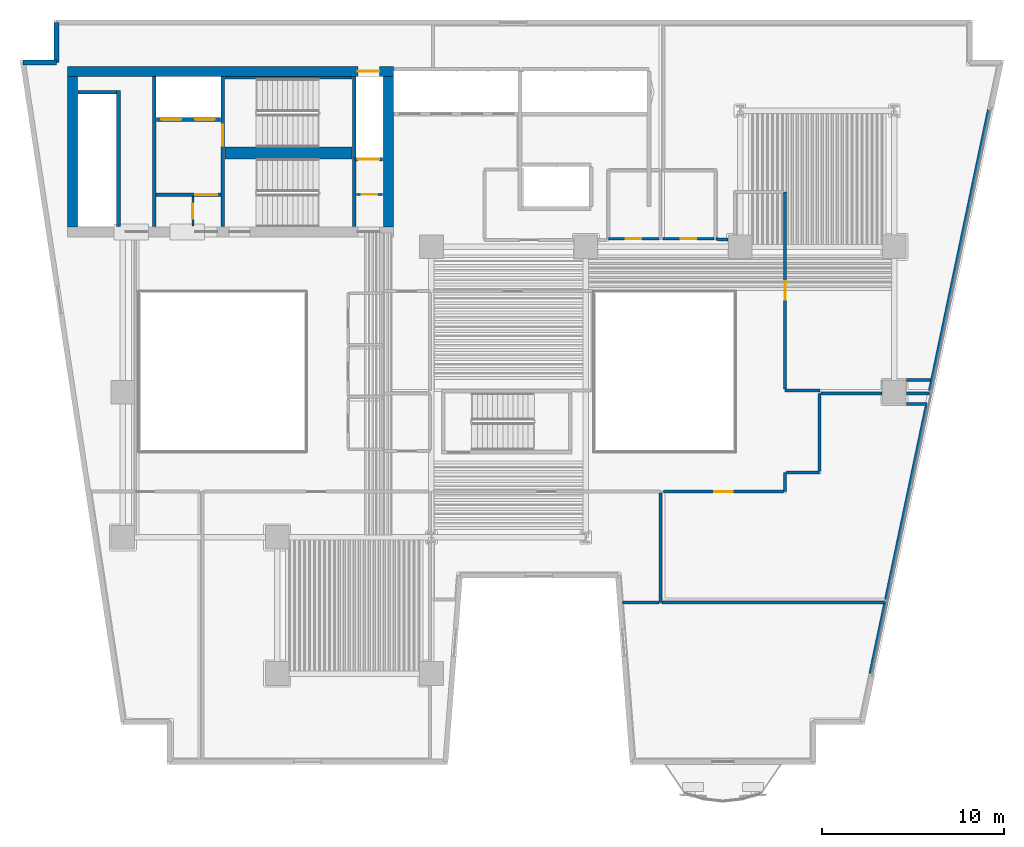
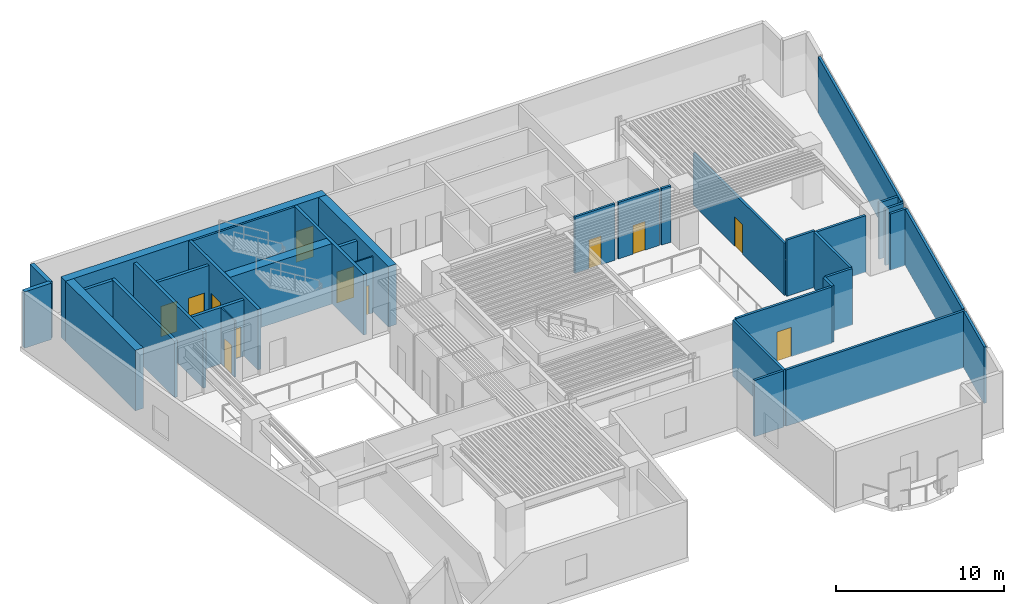
# One storey, part 5 of 11: 36 walls, 12 doors, 12 openings.
"""IFC4 building model written with IfcOpenShell, lengths in metres."""

from ifc_helpers import new_model, si_unit, direction, frame, frame_2d, origin, place, context, subcontext, project, spatial, rectangle, extrude, material, layer, layer_set, type_object, element, fill, save


model = new_model("IFC4")

# Units and contexts
model_context = context("Model", 3, precision=1e-05, world=origin(), true_north=direction((0.0, 1.0)))
body_context = subcontext(model_context, "Body", "Model", "MODEL_VIEW")
ifc_project = project(units=[si_unit("LENGTHUNIT", "METRE"), si_unit("AREAUNIT", "SQUARE_METRE"), si_unit("VOLUMEUNIT", "CUBIC_METRE"), si_unit("PLANEANGLEUNIT", "RADIAN"), si_unit("MASSUNIT", "GRAM", prefix="KILO")], contexts=[model_context])

# Site, building, storey
site_placement = place(None, origin())
site = spatial("IfcSite", under=ifc_project, at=site_placement, CompositionType="ELEMENT")
building_placement = place(site_placement, origin())
building = spatial("IfcBuilding", under=site, at=building_placement, Name="Caeloran Harvest Quay", CompositionType="ELEMENT")
storey_placement = place(building_placement, frame((0.0, 0.0, 44.60009765625)))
storey = spatial("IfcBuildingStorey", under=building, at=storey_placement, Name="L10", CompositionType="ELEMENT", Elevation=44.60009765625)

# Walls
ifc_material_1 = material(Name="Precast concrete C50/60", Category="concrete")
ifc_layer_1 = layer(ifc_material_1, 0.280029296875, Name="Precast concrete C50/60")
ifc_layer_set_1 = layer_set([ifc_layer_1], Name="Precast concrete C50/60")
wall_type_1 = type_object("IfcWallType", Name="ENV-WALL-EW-280", PredefinedType="STANDARD", material=ifc_layer_set_1)
wall_1_placement = place(storey_placement, frame((2.99755859375, 41.159912109375, 0.0), z_axis=(0.0, 0.0, 1.0), x_axis=(1.0, 0.0, 0.0)))
element("IfcWall", 1, at=wall_1_placement, inside=storey, type_object=wall_type_1, Name="L10 Exterior Precast Concrete Facade Wall 4", PredefinedType="STANDARD", context=body_context, shape_type="SweptSolid", body=[
    extrude(rectangle(XDim=1.842529296875, YDim=0.280029296875, at=frame_2d((0.92138671875, 0.0))), origin(), (0.0, 0.0, 1.0), 4.099853515625),
])
wall_2_placement = place(storey_placement, frame((4.840087890625, 41.159912109375, 0.0), z_axis=(0.0, 0.0, 1.0), x_axis=(0.0, 1.0, 0.0)))
element("IfcWall", 2, at=wall_2_placement, inside=storey, type_object=wall_type_1, Name="L10 Exterior Precast Concrete Facade Wall 5", PredefinedType="STANDARD", context=body_context, shape_type="SweptSolid", body=[
    extrude(rectangle(XDim=2.2001953125, YDim=0.280029296875, at=frame_2d((1.10009765625, 0.0))), origin(), (0.0, 0.0, 1.0), 4.099853515625),
])

# Wall, opening, door
ifc_material_2 = material(Name="Fire-Resisting Gypsum Core Riser Partition", Category="gypsum")
ifc_layer_2 = layer(ifc_material_2, 0.10009765625, Name="Fire-Resisting Gypsum Core Riser Partition")
ifc_layer_set_2 = layer_set([ifc_layer_2], Name="Fire-Resisting Gypsum Core Riser Partition")
wall_type_2 = type_object("IfcWallType", Name="INT-WALL-PW-100", PredefinedType="PARTITIONING", material=ifc_layer_set_2)
wall_3_placement = place(storey_placement, frame((12.360107421875, 32.159912109375, 0.0), z_axis=(0.0, 0.0, 1.0), x_axis=(0.0, 1.0, 0.0)))
wall_3 = element("IfcWall", 3, at=wall_3_placement, inside=storey, type_object=wall_type_2, Name="L10 Core Store Partition Wall", PredefinedType="PARTITIONING", context=body_context, shape_type="SweptSolid", body=[
    extrude(rectangle(XDim=1.6201171875, YDim=0.10009765625, at=frame_2d((0.81005859375, 0.0))), origin(), (0.0, 0.0, 1.0), 4.099853515625),
])
opening_1_placement = place(wall_3_placement, frame((0.3798828125, 0.0, 0.0)))
opening_1 = element("IfcOpeningElement", 4, at=opening_1_placement, cuts=wall_3, Name="Opening SV-01", PredefinedType="OPENING", context=body_context, shape_type="SweptSolid", body=[
    extrude(rectangle(XDim=0.85009765625, YDim=2.10009765625, at=frame_2d((0.425048828125, 1.050048828125))), frame((0.0, 0.06005859375, 0.0), z_axis=(0.0, -1.0, 0.0), x_axis=(1.0, 0.0, 0.0)), (0.0, 0.0, 1.0), 0.1201171875),
])
ifc_material_3 = material(Name="Galvanized Painted Steel", Category="steel")
door_type_1 = type_object("IfcDoorType", Name="INTDOOR-SV-01", OperationType="NOTDEFINED", PredefinedType="DOOR", material=ifc_material_3)
door_1_placement = place(opening_1_placement, origin())
door_1 = element("IfcDoor", 5, at=door_1_placement, inside=storey, type_object=door_type_1, Name="L10 Core Service Room Access Door", OperationType="SINGLE_SWING_LEFT", OverallHeight=2.10009765625, OverallWidth=0.85009765625, PredefinedType="DOOR", context=body_context, shape_type="SweptSolid", body=[
    extrude(rectangle(XDim=0.85009765625, YDim=2.10009765625, at=frame_2d((0.425048828125, 1.050048828125))), frame((0.0, 0.02490234375, 0.0), z_axis=(0.0, -1.0, 0.0), x_axis=(1.0, 0.0, 0.0)), (0.0, 0.0, 1.0), 0.050048828125),
])
fill(opening_1, door_1)

wall_4_placement = place(storey_placement, frame((21.3798828125, 33.889892578125, 0.0), z_axis=(0.0, 0.0, 1.0), x_axis=(1.0, 0.0, 0.0)))
wall_4 = element("IfcWall", 6, at=wall_4_placement, inside=storey, type_object=wall_type_2, Name="L10 Cleaner Store Partition Wall", PredefinedType="PARTITIONING", context=body_context, shape_type="SweptSolid", body=[
    extrude(rectangle(XDim=1.420166015625, YDim=0.10009765625, at=frame_2d((0.7099609375, 0.0))), origin(), (0.0, 0.0, 1.0), 4.099853515625),
])
opening_2_placement = place(wall_4_placement, frame((0.280029296875, 0.0, 0.0)))
opening_2 = element("IfcOpeningElement", 7, at=opening_2_placement, cuts=wall_4, Name="Opening SV-01", PredefinedType="OPENING", context=body_context, shape_type="SweptSolid", body=[
    extrude(rectangle(XDim=0.85009765625, YDim=2.10009765625, at=frame_2d((0.425048828125, 1.050048828125))), frame((0.0, 0.06005859375, 0.0), z_axis=(0.0, -1.0, 0.0), x_axis=(1.0, 0.0, 0.0)), (0.0, 0.0, 1.0), 0.1201171875),
])
door_2_placement = place(opening_2_placement, origin())
door_2 = element("IfcDoor", 8, at=door_2_placement, inside=storey, type_object=door_type_1, Name="L10 Cleaner Supply Store Access Door", OperationType="SINGLE_SWING_RIGHT", OverallHeight=2.10009765625, OverallWidth=0.85009765625, PredefinedType="DOOR", context=body_context, shape_type="SweptSolid", body=[
    extrude(rectangle(XDim=0.85009765625, YDim=2.10009765625, at=frame_2d((0.425048828125, 1.050048828125))), frame((0.0, 0.02490234375, 0.0), z_axis=(0.0, -1.0, 0.0), x_axis=(1.0, 0.0, 0.0)), (0.0, 0.0, 1.0), 0.050048828125),
])
fill(opening_2, door_2)

ifc_material_4 = material(Name="Autoclaved Aerated Concrete Blockwork and Plasterboard", Category="masonry")
ifc_layer_3 = layer(ifc_material_4, 0.14990234375, Name="Autoclaved Aerated Concrete Blockwork and Plasterboard")
ifc_layer_set_3 = layer_set([ifc_layer_3], Name="Autoclaved Aerated Concrete Blockwork and Plasterboard")
wall_type_3 = type_object("IfcWallType", Name="INT-WALL-PW-150", PredefinedType="PARTITIONING", material=ifc_layer_set_3)
wall_5_placement = place(storey_placement, frame((38.02001953125, 31.449951171875, 0.0), z_axis=(0.0, 0.0, 1.0), x_axis=(-1.0, 0.0, 0.0)))
wall_5 = element("IfcWall", 9, at=wall_5_placement, inside=storey, type_object=wall_type_3, Name="L10 Core Telemetry West Room Partition Wall", PredefinedType="PARTITIONING", context=body_context, shape_type="SweptSolid", body=[
    extrude(rectangle(XDim=2.77001953125, YDim=0.14990234375, at=frame_2d((1.385009765625, 0.0))), origin(), (0.0, 0.0, 1.0), 4.099853515625),
])
opening_3_placement = place(wall_5_placement, frame((0.9599609375, 0.0, 0.0)))
opening_3 = element("IfcOpeningElement", 10, at=opening_3_placement, cuts=wall_5, Name="Opening SV-01", PredefinedType="OPENING", context=body_context, shape_type="SweptSolid", body=[
    extrude(rectangle(XDim=0.85009765625, YDim=2.10009765625, at=frame_2d((0.425048828125, 1.050048828125))), frame((0.0, 0.0849609375, 0.0), z_axis=(0.0, -1.0, 0.0), x_axis=(1.0, 0.0, 0.0)), (0.0, 0.0, 1.0), 0.169921875),
])
door_3_placement = place(opening_3_placement, origin())
door_3 = element("IfcDoor", 11, at=door_3_placement, inside=storey, type_object=door_type_1, Name="L10 Core Telemetry West Room Access Door", OperationType="SINGLE_SWING_LEFT", OverallHeight=2.10009765625, OverallWidth=0.85009765625, PredefinedType="DOOR", context=body_context, shape_type="SweptSolid", body=[
    extrude(rectangle(XDim=0.85009765625, YDim=2.10009765625, at=frame_2d((0.425048828125, 1.050048828125))), frame((0.0, 0.02490234375, 0.0), z_axis=(0.0, -1.0, 0.0), x_axis=(1.0, 0.0, 0.0)), (0.0, 0.0, 1.0), 0.050048828125),
])
fill(opening_3, door_3)

wall_6_placement = place(storey_placement, frame((41.070068359375, 31.449951171875, 0.0), z_axis=(0.0, 0.0, 1.0), x_axis=(-1.0, 0.0, 0.0)))
wall_6 = element("IfcWall", 12, at=wall_6_placement, inside=storey, type_object=wall_type_3, Name="L10 Core Metering East Room Partition Wall", PredefinedType="PARTITIONING", context=body_context, shape_type="SweptSolid", body=[
    extrude(rectangle(XDim=2.820068359375, YDim=0.14990234375, at=frame_2d((1.41015625, 0.0))), origin(), (0.0, 0.0, 1.0), 4.099853515625),
])
opening_4_placement = place(wall_6_placement, frame((0.985107421875, 0.0, 0.0)))
opening_4 = element("IfcOpeningElement", 13, at=opening_4_placement, cuts=wall_6, Name="Opening SV-01", PredefinedType="OPENING", context=body_context, shape_type="SweptSolid", body=[
    extrude(rectangle(XDim=0.85009765625, YDim=2.10009765625, at=frame_2d((0.425048828125, 1.050048828125))), frame((0.0, 0.0849609375, 0.0), z_axis=(0.0, -1.0, 0.0), x_axis=(1.0, 0.0, 0.0)), (0.0, 0.0, 1.0), 0.169921875),
])
door_4_placement = place(opening_4_placement, origin())
door_4 = element("IfcDoor", 14, at=door_4_placement, inside=storey, type_object=door_type_1, Name="L10 Core Metering East Room Access Door", OperationType="SINGLE_SWING_RIGHT", OverallHeight=2.10009765625, OverallWidth=0.85009765625, PredefinedType="DOOR", context=body_context, shape_type="SweptSolid", body=[
    extrude(rectangle(XDim=0.85009765625, YDim=2.10009765625, at=frame_2d((0.425048828125, 1.050048828125))), frame((0.0, 0.02490234375, 0.0), z_axis=(0.0, -1.0, 0.0), x_axis=(1.0, 0.0, 0.0)), (0.0, 0.0, 1.0), 0.050048828125),
])
fill(opening_4, door_4)

# Walls
ifc_material_5 = material(Name="Autoclaved Aerated Concrete Blockwork", Category="masonry")
ifc_layer_4 = layer(ifc_material_5, 0.1650390625, Name="Autoclaved Aerated Concrete Blockwork")
ifc_layer_set_4 = layer_set([ifc_layer_4], Name="Autoclaved Aerated Concrete Blockwork")
wall_type_4 = type_object("IfcWallType", Name="INT-WALL-PW-165", PredefinedType="PARTITIONING", material=ifc_layer_set_4)
wall_7_placement = place(storey_placement, frame((38.1201171875, 17.4326171875, 0.0), z_axis=(0.0, 0.0, 1.0), x_axis=(0.0, -1.0, 0.0)))
element("IfcWall", 15, at=wall_7_placement, inside=storey, type_object=wall_type_4, Name="Microgreens LED Rack Chamber Partition Wall", PredefinedType="PARTITIONING", context=body_context, shape_type="SweptSolid", body=[
    extrude(rectangle(XDim=6.0126953125, YDim=0.1650390625, at=frame_2d((3.00634765625, 0.0))), origin(), (0.0, 0.0, 1.0), 4.099853515625),
])
wall_8_placement = place(storey_placement, frame((36.0302734375, 11.419921875, 0.0), z_axis=(0.0, 0.0, 1.0), x_axis=(1.0, 0.0, 0.0)))
element("IfcWall", 16, at=wall_8_placement, inside=storey, type_object=wall_type_4, Name="Microgreens LED Rack Chamber Partition Wall", PredefinedType="PARTITIONING", context=body_context, shape_type="SweptSolid", body=[
    extrude(rectangle(XDim=2.002197265625, YDim=0.1650390625, at=frame_2d((1.0009765625, 0.0))), origin(), (0.0, 0.0, 1.0), 4.099853515625),
])
wall_9_placement = place(storey_placement, frame((38.20751953125, 11.419921875, 0.0), z_axis=(0.0, 0.0, 1.0), x_axis=(1.0, 0.0, 0.0)))
element("IfcWall", 17, at=wall_9_placement, inside=storey, type_object=wall_type_4, Name="Microgreens LED Rack Chamber Partition Wall", PredefinedType="PARTITIONING", context=body_context, shape_type="SweptSolid", body=[
    extrude(rectangle(XDim=12.302978515625, YDim=0.1650390625, at=frame_2d((6.1513671875, 0.0))), origin(), (0.0, 0.0, 1.0), 4.099853515625),
])
wall_10_placement = place(storey_placement, frame((50.4765625, 11.33251953125, 0.0), z_axis=(0.0, 0.0, 1.0), x_axis=(-0.205570398428, -0.978642330624, 0.0)))
element("IfcWall", 18, at=wall_10_placement, inside=storey, type_object=wall_type_4, Name="Microgreens LED Rack Chamber Partition Wall", PredefinedType="PARTITIONING", context=body_context, shape_type="SweptSolid", body=[
    extrude(rectangle(XDim=3.914306640625, YDim=0.1650390625, at=frame_2d((1.95703125, 0.0))), origin(), (0.0, 0.0, 1.0), 4.099853515625),
])
wall_11_placement = place(storey_placement, frame((44.97998046875, 17.52001953125, 0.0), z_axis=(0.0, 0.0, 1.0), x_axis=(0.0, 1.0, 0.0)))
element("IfcWall", 19, at=wall_11_placement, inside=storey, type_object=wall_type_4, Name="Tissue Culture Laboratory Partition Wall", PredefinedType="PARTITIONING", context=body_context, shape_type="SweptSolid", body=[
    extrude(rectangle(XDim=1.050048828125, YDim=0.1650390625, at=frame_2d((0.52490234375, 0.0))), origin(), (0.0, 0.0, 1.0), 4.099853515625),
])
wall_12_placement = place(storey_placement, frame((45.0673828125, 18.570068359375, 0.0), z_axis=(0.0, 0.0, 1.0), x_axis=(1.0, 0.0, 0.0)))
element("IfcWall", 20, at=wall_12_placement, inside=storey, type_object=wall_type_4, Name="Tissue Culture Laboratory Partition Wall", PredefinedType="PARTITIONING", context=body_context, shape_type="SweptSolid", body=[
    extrude(rectangle(XDim=1.8125, YDim=0.1650390625, at=frame_2d((0.90625, 0.0))), origin(), (0.0, 0.0, 1.0), 4.099853515625),
])
wall_13_placement = place(storey_placement, frame((46.8798828125, 18.657470703125, 0.0), z_axis=(0.0, 0.0, 1.0), x_axis=(0.0, 1.0, 0.0)))
element("IfcWall", 21, at=wall_13_placement, inside=storey, type_object=wall_type_4, Name="Tissue Culture Laboratory Partition Wall", PredefinedType="PARTITIONING", context=body_context, shape_type="SweptSolid", body=[
    extrude(rectangle(XDim=4.262451171875, YDim=0.1650390625, at=frame_2d((2.13134765625, 0.0))), origin(), (0.0, 0.0, 1.0), 4.099853515625),
])
wall_14_placement = place(storey_placement, frame((46.967529296875, 22.919921875, 0.0), z_axis=(0.0, 0.0, 1.0), x_axis=(1.0, 0.0, 0.0)))
element("IfcWall", 22, at=wall_14_placement, inside=storey, type_object=wall_type_4, Name="Tissue Culture Laboratory Partition Wall", PredefinedType="PARTITIONING", context=body_context, shape_type="SweptSolid", body=[
    extrude(rectangle(XDim=3.357421875, YDim=0.1650390625, at=frame_2d((1.6787109375, 0.0))), origin(), (0.0, 0.0, 1.0), 4.099853515625),
])
wall_15_placement = place(storey_placement, frame((51.675048828125, 22.3349609375, 0.0), z_axis=(0.0, 0.0, 1.0), x_axis=(1.0, 0.0, 0.0)))
element("IfcWall", 23, at=wall_15_placement, inside=storey, type_object=wall_type_4, Name="Tissue Culture Laboratory Partition Wall", PredefinedType="PARTITIONING", context=body_context, shape_type="SweptSolid", body=[
    extrude(rectangle(XDim=1.12841796875, YDim=0.1650390625, at=frame_2d((0.564208984375, 0.0))), origin(), (0.0, 0.0, 1.0), 4.099853515625),
])
wall_16_placement = place(storey_placement, frame((51.675048828125, 22.919921875, 0.0), z_axis=(0.0, 0.0, 1.0), x_axis=(1.0, 0.0, 0.0)))
element("IfcWall", 24, at=wall_16_placement, inside=storey, type_object=wall_type_4, Name="Tissue Culture Laboratory Partition Wall", PredefinedType="PARTITIONING", context=body_context, shape_type="SweptSolid", body=[
    extrude(rectangle(XDim=1.25146484375, YDim=0.1650390625, at=frame_2d((0.625732421875, 0.0))), origin(), (0.0, 0.0, 1.0), 4.099853515625),
])
wall_17_placement = place(storey_placement, frame((52.769775390625, 22.24755859375, 0.0), z_axis=(0.0, 0.0, 1.0), x_axis=(-0.205565714744, -0.978643314452, 0.0)))
element("IfcWall", 25, at=wall_17_placement, inside=storey, type_object=wall_type_4, Name="Tissue Culture Laboratory Partition Wall", PredefinedType="PARTITIONING", context=body_context, shape_type="SweptSolid", body=[
    extrude(rectangle(XDim=10.900390625, YDim=0.1650390625, at=frame_2d((5.4501953125, 0.0))), origin(), (0.0, 0.0, 1.0), 4.099853515625),
])

# Wall, opening, door
wall_18_placement = place(storey_placement, frame((38.280029296875, 17.52001953125, 0.0), z_axis=(0.0, 0.0, 1.0), x_axis=(1.0, 0.0, 0.0)))
wall_18 = element("IfcWall", 26, at=wall_18_placement, inside=storey, type_object=wall_type_4, Name="Tissue Culture Laboratory Partition Wall", PredefinedType="PARTITIONING", context=body_context, shape_type="SweptSolid", body=[
    extrude(rectangle(XDim=6.612548828125, YDim=0.1650390625, at=frame_2d((3.30615234375, 0.0))), origin(), (0.0, 0.0, 1.0), 4.099853515625),
])
opening_5_placement = place(wall_18_placement, frame((2.80615234375, 0.0, 0.0)))
opening_5 = element("IfcOpeningElement", 27, at=opening_5_placement, cuts=wall_18, Name="Opening ID-01", PredefinedType="OPENING", context=body_context, shape_type="SweptSolid", body=[
    extrude(rectangle(XDim=1.0, YDim=2.14990234375, at=frame_2d((0.5, 1.074951171875))), frame((0.0, 0.092529296875, 0.0), z_axis=(0.0, -1.0, 0.0), x_axis=(1.0, 0.0, 0.0)), (0.0, 0.0, 1.0), 0.18505859375),
])
ifc_material_6 = material(Name="FSC Solid-Core Ash Timber and Acoustic Seal", Category="wood")
door_type_2 = type_object("IfcDoorType", Name="INTDOOR-ID-01", OperationType="NOTDEFINED", PredefinedType="DOOR", material=ifc_material_6)
door_5_placement = place(opening_5_placement, origin())
door_5 = element("IfcDoor", 28, at=door_5_placement, inside=storey, type_object=door_type_2, Name="Tissue Culture Laboratory Access Door", OperationType="SINGLE_SWING_LEFT", OverallHeight=2.14990234375, OverallWidth=1.0, PredefinedType="DOOR", context=body_context, shape_type="SweptSolid", body=[
    extrude(rectangle(XDim=1.0, YDim=2.14990234375, at=frame_2d((0.5, 1.074951171875))), frame((0.0, 0.02490234375, 0.0), z_axis=(0.0, -1.0, 0.0), x_axis=(1.0, 0.0, 0.0)), (0.0, 0.0, 1.0), 0.050048828125),
])
fill(opening_5, door_5)

# Walls
wall_19_placement = place(storey_placement, frame((56.1943359375, 38.547607421875, 0.0), z_axis=(0.0, 0.0, 1.0), x_axis=(-0.205583069276, -0.978639668942, 0.0)))
element("IfcWall", 29, at=wall_19_placement, inside=storey, type_object=wall_type_4, Name="Agronomy Break Kitchen Partition Wall", PredefinedType="PARTITIONING", context=body_context, shape_type="SweptSolid", body=[
    extrude(rectangle(XDim=15.80517578125, YDim=0.1650390625, at=frame_2d((7.902587890625, 0.0))), origin(), (0.0, 0.0, 1.0), 4.099853515625),
])
wall_20_placement = place(storey_placement, frame((52.978515625, 23.6650390625, 0.0), z_axis=(0.0, 0.0, 1.0), x_axis=(-1.0, 0.0, 0.0)))
element("IfcWall", 30, at=wall_20_placement, inside=storey, type_object=wall_type_4, Name="Agronomy Break Kitchen Partition Wall", PredefinedType="PARTITIONING", context=body_context, shape_type="SweptSolid", body=[
    extrude(rectangle(XDim=1.303466796875, YDim=0.1650390625, at=frame_2d((0.65185546875, 0.0))), origin(), (0.0, 0.0, 1.0), 4.099853515625),
])
wall_21_placement = place(storey_placement, frame((46.91357421875, 23.080078125, 0.0), z_axis=(0.0, 0.0, 1.0), x_axis=(-1.0, 0.0, 0.0)))
element("IfcWall", 31, at=wall_21_placement, inside=storey, type_object=wall_type_4, Name="Agronomy Break Kitchen Partition Wall", PredefinedType="PARTITIONING", context=body_context, shape_type="SweptSolid", body=[
    extrude(rectangle(XDim=1.93359375, YDim=0.1650390625, at=frame_2d((0.966796875, 0.0))), origin(), (0.0, 0.0, 1.0), 4.099853515625),
])

# Wall, opening, door
wall_22_placement = place(storey_placement, frame((44.97998046875, 23.16748046875, 0.0), z_axis=(0.0, 0.0, 1.0), x_axis=(0.0, 1.0, 0.0)))
wall_22 = element("IfcWall", 32, at=wall_22_placement, inside=storey, type_object=wall_type_4, Name="Agronomy Break Kitchen Partition Wall", PredefinedType="PARTITIONING", context=body_context, shape_type="SweptSolid", body=[
    extrude(rectangle(XDim=10.862548828125, YDim=0.1650390625, at=frame_2d((5.43115234375, 0.0))), origin(), (0.0, 0.0, 1.0), 3.784912109375),
])
opening_6_placement = place(wall_22_placement, frame((4.931396484375, 0.0, 0.0)))
opening_6 = element("IfcOpeningElement", 33, at=opening_6_placement, cuts=wall_22, Name="Opening ID-01", PredefinedType="OPENING", context=body_context, shape_type="SweptSolid", body=[
    extrude(rectangle(XDim=1.0, YDim=2.14990234375, at=frame_2d((0.5, 1.074951171875))), frame((0.0, 0.092529296875, 0.0), z_axis=(0.0, -1.0, 0.0), x_axis=(1.0, 0.0, 0.0)), (0.0, 0.0, 1.0), 0.18505859375),
])
door_6_placement = place(opening_6_placement, origin())
door_6 = element("IfcDoor", 34, at=door_6_placement, inside=storey, type_object=door_type_2, Name="Agronomy Break Kitchen Access Door", OperationType="SINGLE_SWING_LEFT", OverallHeight=2.14990234375, OverallWidth=1.0, PredefinedType="DOOR", context=body_context, shape_type="SweptSolid", body=[
    extrude(rectangle(XDim=1.0, YDim=2.14990234375, at=frame_2d((0.5, 1.074951171875))), frame((0.0, 0.02490234375, 0.0), z_axis=(0.0, -1.0, 0.0), x_axis=(1.0, 0.0, 0.0)), (0.0, 0.0, 1.0), 0.050048828125),
])
fill(opening_6, door_6)

# Walls
wall_23_placement = place(storey_placement, frame((41.824951171875, 31.3984375, 0.0), z_axis=(0.0, 0.0, 1.0), x_axis=(-0.998882632516, 0.04725977633, 0.0)))
element("IfcWall", 35, at=wall_23_placement, inside=storey, type_object=wall_type_4, Name="Agronomy Break Kitchen Partition Wall", PredefinedType="PARTITIONING", context=body_context, shape_type="SweptSolid", body=[
    extrude(rectangle(XDim=0.645751953125, YDim=0.1650390625, at=frame_2d((0.32275390625, 0.0))), origin(), (0.0, 0.0, 1.0), 4.099853515625),
])
ifc_material_7 = material(Name="Concrete C50/60", Category="concrete")
ifc_layer_5 = layer(ifc_material_7, 0.199951171875, Name="Concrete C50/60")
ifc_layer_set_5 = layer_set([ifc_layer_5], Name="Concrete C50/60")
wall_type_5 = type_object("IfcWallType", Name="INT-WALL-SW-200", PredefinedType="PARTITIONING", material=ifc_layer_set_5)
wall_24_placement = place(storey_placement, frame((8.260009765625, 32.1201171875, 0.0), z_axis=(0.0, 0.0, 1.0), x_axis=(0.0, 1.0, 0.0)))
element("IfcWall", 36, at=wall_24_placement, inside=storey, type_object=wall_type_5, Name="L10 Bank 3 Lift Shaft Wall", PredefinedType="PARTITIONING", context=body_context, shape_type="SweptSolid", body=[
    extrude(rectangle(XDim=7.5, YDim=0.199951171875, at=frame_2d((3.75, 0.0))), origin(), (0.0, 0.0, 1.0), 4.099853515625),
])
wall_25_placement = place(storey_placement, frame((6.02001953125, 39.52001953125, 0.0), z_axis=(0.0, 0.0, 1.0), x_axis=(1.0, 0.0, 0.0)))
element("IfcWall", 37, at=wall_25_placement, inside=storey, type_object=wall_type_5, Name="L10 Bank 3 Lift Shaft North End Wall", PredefinedType="PARTITIONING", context=body_context, shape_type="SweptSolid", body=[
    extrude(rectangle(XDim=2.119873046875, YDim=0.199951171875, at=frame_2d((1.06005859375, 0.0))), origin(), (0.0, 0.0, 1.0), 4.099853515625),
])
wall_26_placement = place(storey_placement, frame((10.219970703125, 32.1201171875, 0.0), z_axis=(0.0, 0.0, 1.0), x_axis=(0.0, 1.0, 0.0)))
element("IfcWall", 38, at=wall_26_placement, inside=storey, type_object=wall_type_5, Name="L10 Core Lobby Compartment Wall", PredefinedType="PARTITIONING", context=body_context, shape_type="SweptSolid", body=[
    extrude(rectangle(XDim=8.259765625, YDim=0.199951171875, at=frame_2d((4.1298828125, 0.0))), origin(), (0.0, 0.0, 1.0), 4.099853515625),
])

# Wall, openings, doors
wall_27_placement = place(storey_placement, frame((10.340087890625, 38.02001953125, 0.0), z_axis=(0.0, 0.0, 1.0), x_axis=(1.0, 0.0, 0.0)))
wall_27 = element("IfcWall", 39, at=wall_27_placement, inside=storey, type_object=wall_type_5, Name="L10 Firefighting Lift Shaft Wall", PredefinedType="PARTITIONING", context=body_context, shape_type="SweptSolid", body=[
    extrude(rectangle(XDim=3.539794921875, YDim=0.199951171875, at=frame_2d((1.77001953125, 0.0))), origin(), (0.0, 0.0, 1.0), 4.099853515625),
])
opening_7_placement = place(wall_27_placement, frame((0.284912109375, 0.0, 0.0)))
opening_7 = element("IfcOpeningElement", 40, at=opening_7_placement, cuts=wall_27, Name="Opening LD-01", PredefinedType="OPENING", context=body_context, shape_type="SweptSolid", body=[
    extrude(rectangle(XDim=1.10009765625, YDim=2.199951171875, at=frame_2d((0.550048828125, 1.10009765625))), frame((0.0, 0.10986328125, 0.0), z_axis=(0.0, -1.0, 0.0), x_axis=(1.0, 0.0, 0.0)), (0.0, 0.0, 1.0), 0.219970703125),
])
opening_8_placement = place(wall_27_placement, frame((2.135009765625, 0.0, 0.0)))
opening_8 = element("IfcOpeningElement", 41, at=opening_8_placement, cuts=wall_27, Name="Opening LD-01", PredefinedType="OPENING", context=body_context, shape_type="SweptSolid", body=[
    extrude(rectangle(XDim=1.10009765625, YDim=2.199951171875, at=frame_2d((0.550048828125, 1.10009765625))), frame((0.0, 0.10986328125, 0.0), z_axis=(0.0, -1.0, 0.0), x_axis=(1.0, 0.0, 0.0)), (0.0, 0.0, 1.0), 0.219970703125),
])
ifc_material_8 = material(Name="Stainless Steel Grade 316", Category="steel")
door_type_3 = type_object("IfcDoorType", Name="INTDOOR-LD-01", OperationType="NOTDEFINED", PredefinedType="DOOR", material=ifc_material_8)
door_7_placement = place(opening_7_placement, origin())
door_7 = element("IfcDoor", 42, at=door_7_placement, inside=storey, type_object=door_type_3, Name="Lift FF-1 Sliding Landing Door (L10)", OperationType="DOUBLE_DOOR_SLIDING", OverallHeight=2.199951171875, OverallWidth=1.10009765625, PredefinedType="DOOR", context=body_context, shape_type="SweptSolid", body=[
    extrude(rectangle(XDim=1.10009765625, YDim=2.199951171875, at=frame_2d((0.550048828125, 1.10009765625))), frame((0.0, 0.02490234375, 0.0), z_axis=(0.0, -1.0, 0.0), x_axis=(1.0, 0.0, 0.0)), (0.0, 0.0, 1.0), 0.050048828125),
])
fill(opening_7, door_7)
door_8_placement = place(opening_8_placement, origin())
door_8 = element("IfcDoor", 43, at=door_8_placement, inside=storey, type_object=door_type_3, Name="Lift FF-2 Sliding Landing Door (L10)", OperationType="DOUBLE_DOOR_SLIDING", OverallHeight=2.199951171875, OverallWidth=1.10009765625, PredefinedType="DOOR", context=body_context, shape_type="SweptSolid", body=[
    extrude(rectangle(XDim=1.10009765625, YDim=2.199951171875, at=frame_2d((0.550048828125, 1.10009765625))), frame((0.0, 0.02490234375, 0.0), z_axis=(0.0, -1.0, 0.0), x_axis=(1.0, 0.0, 0.0)), (0.0, 0.0, 1.0), 0.050048828125),
])
fill(opening_8, door_8)

# Wall, opening, door
wall_28_placement = place(storey_placement, frame((10.340087890625, 33.8798828125, 0.0), z_axis=(0.0, 0.0, 1.0), x_axis=(1.0, 0.0, 0.0)))
wall_28 = element("IfcWall", 44, at=wall_28_placement, inside=storey, type_object=wall_type_5, Name="L10 Firefighting Lift Lobby Enclosure Wall", PredefinedType="PARTITIONING", context=body_context, shape_type="SweptSolid", body=[
    extrude(rectangle(XDim=3.559814453125, YDim=0.199951171875, at=frame_2d((1.77978515625, 0.0))), origin(), (0.0, 0.0, 1.0), 4.099853515625),
])
opening_9_placement = place(wall_28_placement, frame((2.14990234375, 0.0, 0.0)))
opening_9 = element("IfcOpeningElement", 45, at=opening_9_placement, cuts=wall_28, Name="Opening FD-01", PredefinedType="OPENING", context=body_context, shape_type="SweptSolid", body=[
    extrude(rectangle(XDim=1.199951171875, YDim=2.199951171875, at=frame_2d((0.60009765625, 1.10009765625))), frame((0.0, 0.10986328125, 0.0), z_axis=(0.0, -1.0, 0.0), x_axis=(1.0, 0.0, 0.0)), (0.0, 0.0, 1.0), 0.219970703125),
])
ifc_material_9 = material(Name="Steel", Category="steel")
door_type_4 = type_object("IfcDoorType", Name="INTDOOR-FD-01", OperationType="NOTDEFINED", PredefinedType="DOOR", material=ifc_material_9)
door_9_placement = place(opening_9_placement, origin())
door_9 = element("IfcDoor", 46, at=door_9_placement, inside=storey, type_object=door_type_4, Name="L10 Firefighting Lift Lobby Smoke-Seal Fire Door", OperationType="SINGLE_SWING_LEFT", OverallHeight=2.199951171875, OverallWidth=1.199951171875, PredefinedType="DOOR", context=body_context, shape_type="SweptSolid", body=[
    extrude(rectangle(XDim=1.199951171875, YDim=2.199951171875, at=frame_2d((0.60009765625, 1.10009765625))), frame((0.0, 0.02490234375, 0.0), z_axis=(0.0, -1.0, 0.0), x_axis=(1.0, 0.0, 0.0)), (0.0, 0.0, 1.0), 0.050048828125),
])
fill(opening_9, door_9)

wall_29_placement = place(storey_placement, frame((21.300048828125, 35.820068359375, 0.0), z_axis=(0.0, 0.0, 1.0), x_axis=(1.0, 0.0, 0.0)))
wall_29 = element("IfcWall", 47, at=wall_29_placement, inside=storey, type_object=wall_type_5, Name="L10 Service Lift SV-2 Shaft Wall", PredefinedType="PARTITIONING", context=body_context, shape_type="SweptSolid", body=[
    extrude(rectangle(XDim=1.5, YDim=0.199951171875, at=frame_2d((0.75, 0.0))), origin(), (0.0, 0.0, 1.0), 4.099853515625),
])
opening_10_placement = place(wall_29_placement, frame((0.14501953125, 0.0, 0.0)))
opening_10 = element("IfcOpeningElement", 48, at=opening_10_placement, cuts=wall_29, Name="Opening LD-02", PredefinedType="OPENING", context=body_context, shape_type="SweptSolid", body=[
    extrude(rectangle(XDim=1.179931640625, YDim=2.25, at=frame_2d((0.58984375, 1.125))), frame((0.0, 0.10986328125, 0.0), z_axis=(0.0, -1.0, 0.0), x_axis=(1.0, 0.0, 0.0)), (0.0, 0.0, 1.0), 0.219970703125),
])
door_type_5 = type_object("IfcDoorType", Name="INTDOOR-LD-02", OperationType="NOTDEFINED", PredefinedType="DOOR", material=ifc_material_8)
door_10_placement = place(opening_10_placement, origin())
door_10 = element("IfcDoor", 49, at=door_10_placement, inside=storey, type_object=door_type_5, Name="Lift SV-2 Sliding Landing Door (L10)", OperationType="DOUBLE_DOOR_SLIDING", OverallHeight=2.25, OverallWidth=1.179931640625, PredefinedType="DOOR", context=body_context, shape_type="SweptSolid", body=[
    extrude(rectangle(XDim=1.179931640625, YDim=2.25, at=frame_2d((0.58984375, 1.125))), frame((0.0, 0.02490234375, 0.0), z_axis=(0.0, -1.0, 0.0), x_axis=(1.0, 0.0, 0.0)), (0.0, 0.0, 1.0), 0.050048828125),
])
fill(opening_10, door_10)

ifc_material_10 = material(Name="Concrete C80/95", Category="concrete")
ifc_layer_6 = layer(ifc_material_10, 0.550048828125, Name="Concrete C80/95")
ifc_layer_set_6 = layer_set([ifc_layer_6], Name="Concrete C80/95")
wall_type_6 = type_object("IfcWallType", Name="STR-WALL-CW-550", PredefinedType="SHEAR", material=ifc_layer_set_6)
wall_30_placement = place(storey_placement, frame((5.449951171875, 40.675048828125, 0.0), z_axis=(0.0, 0.0, 1.0), x_axis=(1.0, 0.0, 0.0)))
wall_30 = element("IfcWall", 50, at=wall_30_placement, inside=storey, type_object=wall_type_6, Name="L10 Rear Core Shear Wall N", PredefinedType="SHEAR", context=body_context, shape_type="SweptSolid", body=[
    extrude(rectangle(XDim=17.949951171875, YDim=0.550048828125, at=frame_2d((8.97509765625, 0.0))), origin(), (0.0, 0.0, 1.0), 4.39990234375),
])
opening_11_placement = place(wall_30_placement, frame((15.9951171875, 0.0, 0.0)))
opening_11 = element("IfcOpeningElement", 51, at=opening_11_placement, cuts=wall_30, Name="Opening LD-02", PredefinedType="OPENING", context=body_context, shape_type="SweptSolid", body=[
    extrude(rectangle(XDim=1.179931640625, YDim=2.25, at=frame_2d((0.58984375, 1.125))), frame((0.0, 0.28515625, 0.0), z_axis=(0.0, -1.0, 0.0), x_axis=(1.0, 0.0, 0.0)), (0.0, 0.0, 1.0), 0.570068359375),
])
door_11_placement = place(opening_11_placement, origin())
door_11 = element("IfcDoor", 52, at=door_11_placement, inside=storey, type_object=door_type_5, Name="Lift SV-1 Sliding Landing Door (L10)", OperationType="DOUBLE_DOOR_SLIDING", OverallHeight=2.25, OverallWidth=1.179931640625, PredefinedType="DOOR", context=body_context, shape_type="SweptSolid", body=[
    extrude(rectangle(XDim=1.179931640625, YDim=2.25, at=frame_2d((0.58984375, 1.125))), frame((0.0, 0.02490234375, 0.0), z_axis=(0.0, -1.0, 0.0), x_axis=(1.0, 0.0, 0.0)), (0.0, 0.0, 1.0), 0.050048828125),
])
fill(opening_11, door_11)

# Walls
for number, where, z_axis, x_axis, name in (
    (53, (5.72509765625, 32.10009765625, 0.0), (0.0, 0.0, 1.0), (0.0, 1.0, 0.0), "L10 Rear Core Shear Wall W"),
    (54, (23.125, 32.10009765625, 0.0), (0.0, 0.0, 1.0), (0.0, 1.0, 0.0), "L10 Rear Core Shear Wall E"),
):
    element("IfcWall", number, at=place(storey_placement, frame(where, z_axis=z_axis, x_axis=x_axis)), inside=storey, type_object=wall_type_6, Name=name, PredefinedType="SHEAR", context=body_context, shape_type="SweptSolid", body=[
        extrude(rectangle(XDim=8.2998046875, YDim=0.550048828125, at=frame_2d((4.14990234375, 0.0))), origin(), (0.0, 0.0, 1.0), 4.39990234375),
    ])
ifc_material_11 = material(Name="Concrete C60/75", Category="concrete")
ifc_layer_7 = layer(ifc_material_11, 0.64990234375, Name="Concrete C60/75")
ifc_layer_set_7 = layer_set([ifc_layer_7], Name="Concrete C60/75")
wall_type_7 = type_object("IfcWallType", Name="STR-WALL-CW-650", PredefinedType="SHEAR", material=ifc_layer_set_7)
wall_31_placement = place(storey_placement, frame((14.1201171875, 36.175048828125, 0.0), z_axis=(0.0, 0.0, 1.0), x_axis=(1.0, 0.0, 0.0)))
element("IfcWall", 55, at=wall_31_placement, inside=storey, type_object=wall_type_7, Name="L10 Core Stairs Dividing Shear Wall", PredefinedType="SHEAR", context=body_context, shape_type="SweptSolid", body=[
    extrude(rectangle(XDim=7.009765625, YDim=0.64990234375, at=frame_2d((3.5048828125, 0.0))), origin(), (0.0, 0.0, 1.0), 4.39990234375),
])
ifc_layer_8 = layer(ifc_material_11, 0.139892578125, Name="Concrete C60/75")
ifc_layer_set_8 = layer_set([ifc_layer_8], Name="Concrete C60/75")
wall_type_8 = type_object("IfcWallType", Name="STR-WALL-SW-140", PredefinedType="SHEAR", material=ifc_layer_set_8)
wall_32_placement = place(storey_placement, frame((14.1201171875, 40.320068359375, 0.0), z_axis=(0.0, 0.0, 1.0), x_axis=(1.0, 0.0, 0.0)))
element("IfcWall", 56, at=wall_32_placement, inside=storey, type_object=wall_type_8, Name="L10 Core Stair ST-C1 North Bearing Shear Wall", PredefinedType="SHEAR", context=body_context, shape_type="SweptSolid", body=[
    extrude(rectangle(XDim=7.009765625, YDim=0.139892578125, at=frame_2d((3.5048828125, 0.0))), origin(), (0.0, 0.0, 1.0), 4.39990234375),
])

# Wall, opening, door
ifc_layer_9 = layer(ifc_material_11, 0.199951171875, Name="Concrete C60/75")
ifc_layer_set_9 = layer_set([ifc_layer_9], Name="Concrete C60/75")
wall_type_9 = type_object("IfcWallType", Name="STR-WALL-SW-200", PredefinedType="SHEAR", material=ifc_layer_set_9)
wall_33_placement = place(storey_placement, frame((14.0, 32.1201171875, 0.0), z_axis=(0.0, 0.0, 1.0), x_axis=(0.0, 1.0, 0.0)))
wall_33 = element("IfcWall", 57, at=wall_33_placement, inside=storey, type_object=wall_type_9, Name="L10 Core Stair Shaft West Shear Wall", PredefinedType="SHEAR", context=body_context, shape_type="SweptSolid", body=[
    extrude(rectangle(XDim=8.259765625, YDim=0.199951171875, at=frame_2d((4.1298828125, 0.0))), origin(), (0.0, 0.0, 1.0), 4.39990234375),
])
opening_12_placement = place(wall_33_placement, frame((4.4599609375, 0.0, 0.0)))
opening_12 = element("IfcOpeningElement", 58, at=opening_12_placement, cuts=wall_33, Name="Opening SD-01", PredefinedType="OPENING", context=body_context, shape_type="SweptSolid", body=[
    extrude(rectangle(XDim=1.14990234375, YDim=2.199951171875, at=frame_2d((0.574951171875, 1.10009765625))), frame((0.0, 0.10986328125, 0.0), z_axis=(0.0, -1.0, 0.0), x_axis=(1.0, 0.0, 0.0)), (0.0, 0.0, 1.0), 0.219970703125),
])
door_type_6 = type_object("IfcDoorType", Name="INTDOOR-SD-01", OperationType="NOTDEFINED", PredefinedType="DOOR", material=ifc_material_9)
door_12_placement = place(opening_12_placement, origin())
door_12 = element("IfcDoor", 59, at=door_12_placement, inside=storey, type_object=door_type_6, Name="L10 Protected Stair ST-C1 Exit Door", OperationType="SINGLE_SWING_LEFT", OverallHeight=2.199951171875, OverallWidth=1.14990234375, PredefinedType="DOOR", context=body_context, shape_type="SweptSolid", body=[
    extrude(rectangle(XDim=1.14990234375, YDim=2.199951171875, at=frame_2d((0.574951171875, 1.10009765625))), frame((0.0, 0.02490234375, 0.0), z_axis=(0.0, -1.0, 0.0), x_axis=(1.0, 0.0, 0.0)), (0.0, 0.0, 1.0), 0.050048828125),
])
fill(opening_12, door_12)

# Wall
wall_34_placement = place(storey_placement, frame((21.25, 32.1201171875, 0.0), z_axis=(0.0, 0.0, 1.0), x_axis=(0.0, 1.0, 0.0)))
element("IfcWall", 60, at=wall_34_placement, inside=storey, type_object=wall_type_9, Name="L10 Core Stair Shaft East Shear Wall", PredefinedType="SHEAR", context=body_context, shape_type="SweptSolid", body=[
    extrude(rectangle(XDim=8.259765625, YDim=0.199951171875, at=frame_2d((4.1298828125, 0.0))), origin(), (0.0, 0.0, 1.0), 4.39990234375),
])

save(model, "model.ifc")
